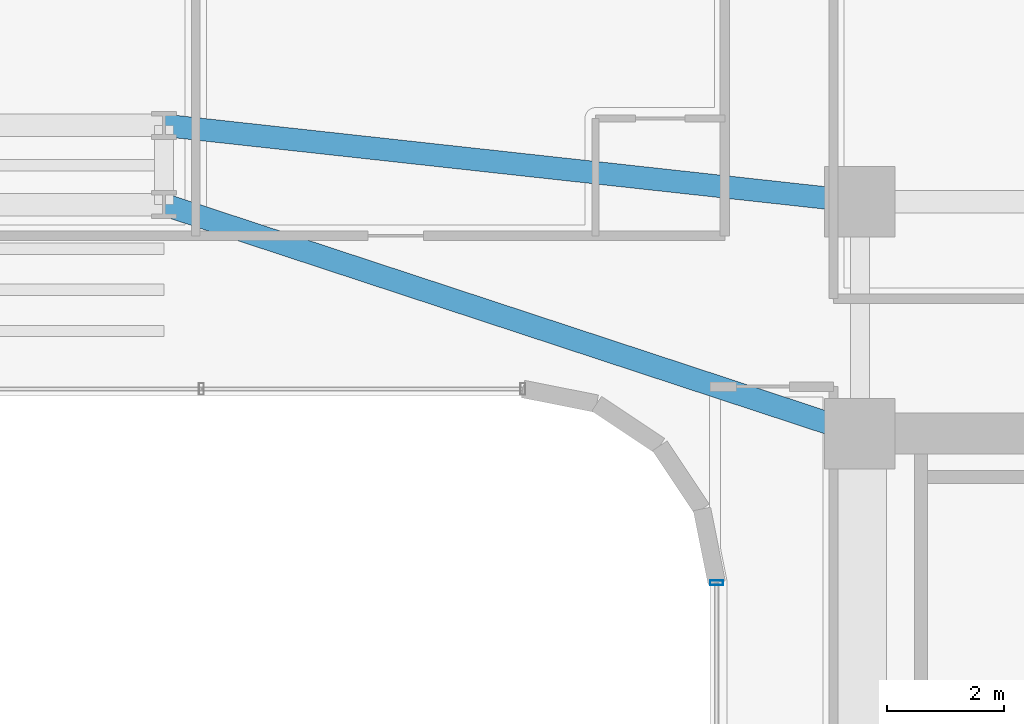
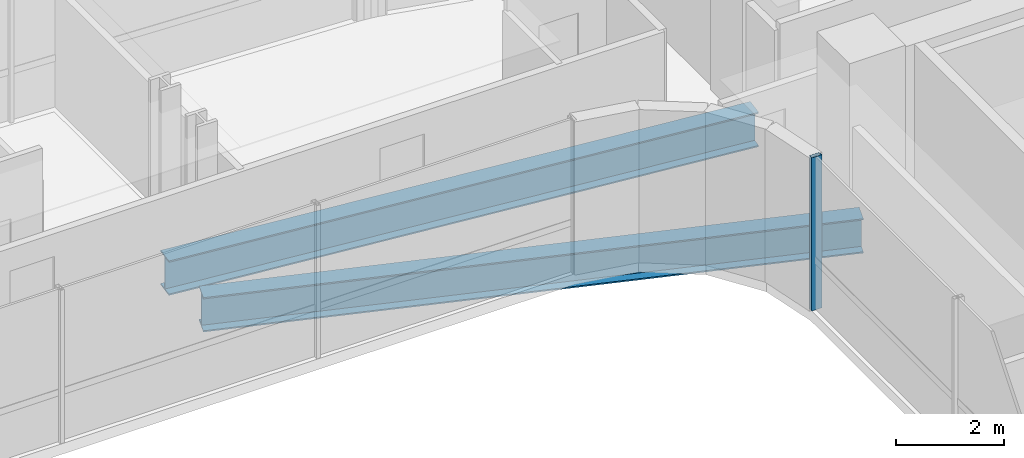
# One storey, part 15 of 35: 2 beams, 1 member, 1 element without a shape of its own.
"""IFC4 building model written with IfcOpenShell, lengths in metres."""

from ifc_helpers import new_model, si_unit, direction, frame, origin, origin_2d, place, context, subcontext, project, spatial, hollow_rectangle, i_section, extrude, source, transform, mapped, material, material_profile, profile_set, type_object, element, aggregate, save


model = new_model("IFC4")

# Units and contexts
model_context = context("Model", 3, precision=1e-05, world=origin(), true_north=direction((0.0, 1.0)))
body_context = subcontext(model_context, "Body", "Model", "MODEL_VIEW")
ifc_project = project(units=[si_unit("LENGTHUNIT", "METRE"), si_unit("AREAUNIT", "SQUARE_METRE"), si_unit("VOLUMEUNIT", "CUBIC_METRE"), si_unit("PLANEANGLEUNIT", "RADIAN"), si_unit("MASSUNIT", "GRAM", prefix="KILO")], contexts=[model_context])

# Site, building, storey
site_placement = place(None, origin())
site = spatial("IfcSite", under=ifc_project, at=site_placement, CompositionType="ELEMENT")
building_placement = place(site_placement, origin())
building = spatial("IfcBuilding", under=site, at=building_placement, Name="Valdorenza Pilgrim Sanctuary Tower", CompositionType="ELEMENT")
storey_placement = place(building_placement, frame((0.0, 0.0, 113.10009765625)))
storey = spatial("IfcBuildingStorey", under=building, at=storey_placement, Name="L28", CompositionType="ELEMENT", Elevation=113.10009765625)

# Beams
ifc_material_1 = material(Name="Steel ASTM A992 Grade 50", Category="steel")
ifc_material_profile_1 = material_profile(ifc_material_1, i_section(OverallWidth=0.382080078125, OverallDepth=0.779052734375, WebThickness=0.01806640625, FlangeThickness=0.030029296875, at=origin_2d()), Name="W30X191")
ifc_profile_set_1 = profile_set([ifc_material_profile_1], Name="Steel ASTM A992 Grade 50")
beam_type = type_object("IfcBeamType", Name="STR-BM-GRD-W30", PredefinedType="BEAM", material=ifc_profile_set_1)
shared_shape_1 = source(origin(), body_context, "Body", "SweptSolid", [
    extrude(i_section(OverallWidth=0.382080078125, OverallDepth=0.779052734375, WebThickness=0.01806640625, FlangeThickness=0.030029296875, at=origin_2d()), origin(), (0.0, 0.0, 1.0), 12.475341796875),
])
beam_1_placement = place(storey_placement, frame((4.0, 13.449951171875, -0.629638671875), z_axis=(0.949881908141, -0.312608957943, 0.0), x_axis=(0.312608957943, 0.949881908141, 0.0)))
element("IfcBeam", 1, at=beam_1_placement, inside=storey, type_object=beam_type, Name="L28 Floor Girder KNK-G3", PredefinedType="BEAM", context=body_context, shape_type="MappedRepresentation", body=[
    mapped(shared_shape_1, transform((0.0, 0.0, 0.0), x_axis=(1.0, 0.0, 0.0), y_axis=(0.0, 1.0, 0.0), z_axis=(0.0, 0.0, 1.0), scale=1.0)),
])
shared_shape_2 = source(origin(), body_context, "Body", "SweptSolid", [
    extrude(i_section(OverallWidth=0.382080078125, OverallDepth=0.779052734375, WebThickness=0.01806640625, FlangeThickness=0.030029296875, at=origin_2d()), origin(), (0.0, 0.0, 1.0), 11.921142578125),
])
beam_2_placement = place(storey_placement, frame((4.0, 14.800048828125, -0.629638671875), z_axis=(0.994035876607, -0.10905354656, 0.0), x_axis=(0.10905354656, 0.994035876607, 0.0)))
element("IfcBeam", 2, at=beam_2_placement, inside=storey, type_object=beam_type, Name="L28 Floor Girder KNK-G6", PredefinedType="BEAM", context=body_context, shape_type="MappedRepresentation", body=[
    mapped(shared_shape_2, transform((0.0, 0.0, 0.0), x_axis=(1.0, 0.0, 0.0), y_axis=(0.0, 1.0, 0.0), z_axis=(0.0, 0.0, 1.0), scale=1.0)),
])

# Curtain wall, member
ifc_material_2 = material(Name="Curtain-wall IGU glazing", Category="glass")
curtain_wall_type = type_object("IfcCurtainWallType", Name="CW-SYS-03", PredefinedType="NOTDEFINED", material=ifc_material_2)
curtain_wall_placement = place(storey_placement, origin())
curtain_wall = element("IfcCurtainWall", 3, at=curtain_wall_placement, inside=storey, type_object=curtain_wall_type, Name="L28 Curtain Wall CW-L28-1-31", PredefinedType="NOTDEFINED")
ifc_material_3 = material(Name="Anodised aluminium AW-6060", Category="aluminium")
ifc_material_profile_2 = material_profile(ifc_material_3, hollow_rectangle(XDim=0.0849609375, YDim=0.219970703125, WallThickness=0.0048828125, at=origin_2d()), Name="ALU-M 220x85x5")
ifc_profile_set_2 = profile_set([ifc_material_profile_2], Name="Anodised aluminium AW-6060")
member_type = type_object("IfcMemberType", Name="CW-MUL-03", PredefinedType="MULLION", material=ifc_profile_set_2)
shared_shape_3 = source(origin(), body_context, "Body", "SweptSolid", [
    extrude(hollow_rectangle(XDim=0.0849609375, YDim=0.219970703125, WallThickness=0.0048828125, at=origin_2d()), origin(), (0.0, 0.0, 1.0), 3.4599609375),
])
member_placement = place(storey_placement, frame((13.409912109375, 7.0107421875, 0.0), z_axis=(0.0, 0.0, 1.0), x_axis=(0.0, 1.0, 0.0)))
member = element("IfcMember", 4, at=member_placement, type_object=member_type, Name="CW-L28-1-31 Mullion 4", PredefinedType="MULLION", context=body_context, shape_type="MappedRepresentation", body=[
    mapped(shared_shape_3, transform((0.0, 0.0, 0.0), x_axis=(1.0, 0.0, 0.0), y_axis=(0.0, 1.0, 0.0), z_axis=(0.0, 0.0, 1.0), scale=1.0)),
])
aggregate(curtain_wall, [member])

save(model, "model.ifc")
